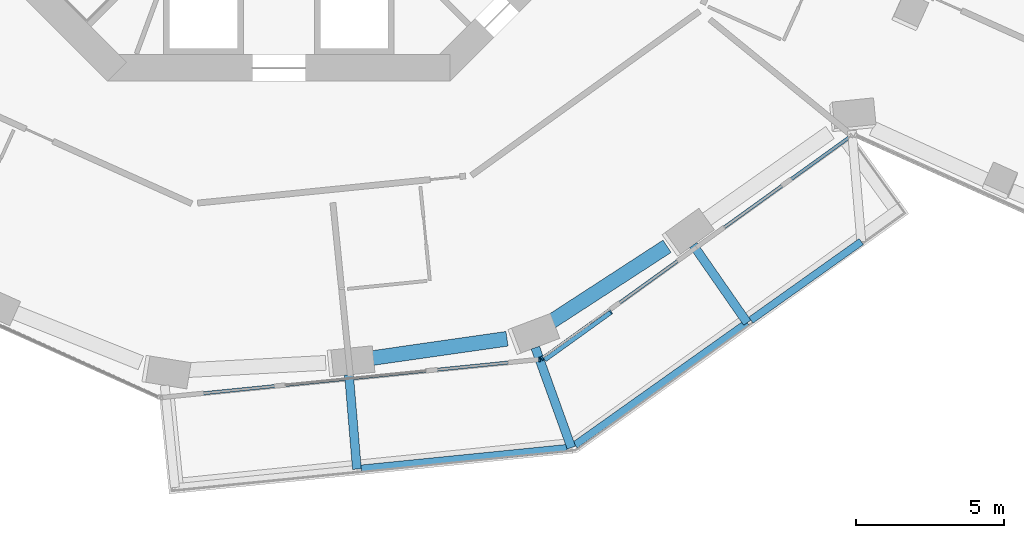
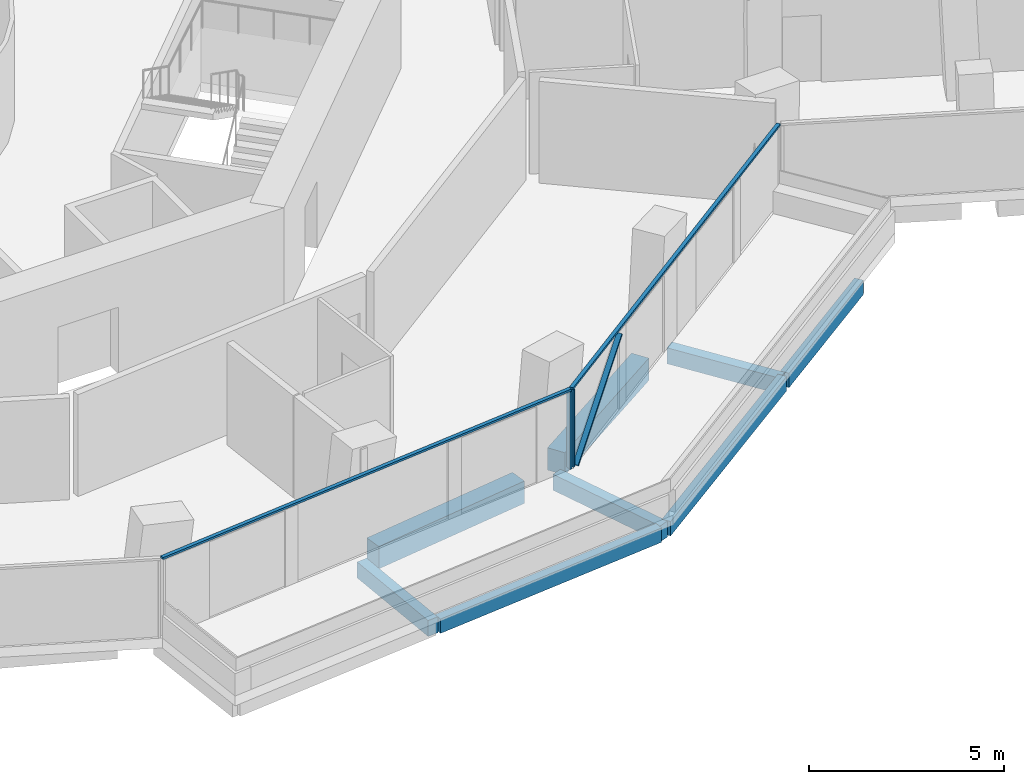
# One storey, part 5 of 26: 8 beams, 5 members, 2 elements without a shape of their own.
"""IFC4 building model written with IfcOpenShell, lengths in metres."""

from ifc_helpers import new_model, si_unit, direction, frame, origin, origin_2d, place, context, subcontext, project, spatial, rectangle, extrude, material, layer, layer_set, material_profile, profile_set, type_object, element, aggregate, save


model = new_model("IFC4")

# Units and contexts
model_context = context("Model", 3, precision=1e-05, world=origin(), true_north=direction((0.0, 1.0)))
body_context = subcontext(model_context, "Body", "Model", "MODEL_VIEW")
ifc_project = project(units=[si_unit("LENGTHUNIT", "METRE"), si_unit("AREAUNIT", "SQUARE_METRE"), si_unit("VOLUMEUNIT", "CUBIC_METRE"), si_unit("PLANEANGLEUNIT", "RADIAN"), si_unit("MASSUNIT", "GRAM", prefix="KILO")], contexts=[model_context])

# Site, building, storey
site_placement = place(None, origin())
site = spatial("IfcSite", under=ifc_project, at=site_placement, CompositionType="ELEMENT")
building_placement = place(site_placement, origin())
building = spatial("IfcBuilding", under=site, at=building_placement, Name="Verdalira Terraces Hotel", CompositionType="ELEMENT")
storey_placement = place(building_placement, frame((0.0, 0.0, 56.5)))
storey = spatial("IfcBuildingStorey", under=building, at=storey_placement, Name="L12", CompositionType="ELEMENT", Elevation=56.5)

# Beams
ifc_material_1 = material(Name="Concrete C40", Category="concrete")
ifc_material_profile_1 = material_profile(ifc_material_1, rectangle(XDim=0.300049, YDim=0.5, at=origin_2d()), Name="RC 300X500")
ifc_profile_set_1 = profile_set([ifc_material_profile_1], Name="Concrete C40")
beam_type_1 = type_object("IfcBeamType", Name="Balcony cantilever beam RC 300X500 C40", PredefinedType="BEAM", material=ifc_profile_set_1)
beam_1_placement = place(storey_placement, frame((2.37207, -23.940918, -0.560059), z_axis=(0.083676728, -0.996492953, 0.0), x_axis=(0.996492953, 0.083676728, 0.0)))
element("IfcBeam", 1, at=beam_1_placement, inside=storey, type_object=beam_type_1, Name="Balcony cantilever beam R26-2", PredefinedType="BEAM", context=body_context, shape_type="SweptSolid", body=[
    extrude(rectangle(XDim=0.300049, YDim=0.5, at=origin_2d()), origin(), (0.0, 0.0, 1.0), 3.200684),
])
beam_2_placement = place(storey_placement, frame((8.679199, -23.019043, -0.560059), z_axis=(0.338793953, -0.940860594, 0.0), x_axis=(0.940860594, 0.338793953, 0.0)))
element("IfcBeam", 2, at=beam_2_placement, inside=storey, type_object=beam_type_1, Name="Balcony cantilever beam R26-3", PredefinedType="BEAM", context=body_context, shape_type="SweptSolid", body=[
    extrude(rectangle(XDim=0.300049, YDim=0.5, at=origin_2d()), origin(), (0.0, 0.0, 1.0), 3.598145),
])
beam_3_placement = place(storey_placement, frame((14.024658, -19.547363, -0.560059), z_axis=(0.570771689, -0.821108811, 0.0), x_axis=(0.821108811, 0.570771689, 0.0)))
element("IfcBeam", 3, at=beam_3_placement, inside=storey, type_object=beam_type_1, Name="Balcony cantilever beam R26-4", PredefinedType="BEAM", context=body_context, shape_type="SweptSolid", body=[
    extrude(rectangle(XDim=0.300049, YDim=0.5, at=origin_2d()), origin(), (0.0, 0.0, 1.0), 3.200684),
])
ifc_material_2 = material(Name="Concrete C40", Category="concrete")
ifc_material_profile_2 = material_profile(ifc_material_2, rectangle(XDim=0.25, YDim=0.449951, at=origin_2d()), Name="RC 250X450")
ifc_profile_set_2 = profile_set([ifc_material_profile_2], Name="Concrete C40")
beam_type_2 = type_object("IfcBeamType", Name="Balcony edge beam RC 250X450 C40", PredefinedType="BEAM", material=ifc_profile_set_2)
beam_4_placement = place(storey_placement, frame((2.789307, -27.115479, -0.534912), z_axis=(0.995032693, 0.099548678, 0.0), x_axis=(-0.099548678, 0.995032693, 0.0)))
element("IfcBeam", 4, at=beam_4_placement, inside=storey, type_object=beam_type_2, Name="Balcony edge beam R26-2", PredefinedType="BEAM", context=body_context, shape_type="SweptSolid", body=[
    extrude(rectangle(XDim=0.25, YDim=0.449951, at=origin_2d()), origin(), (0.0, 0.0, 1.0), 6.989502),
])
beam_5_placement = place(storey_placement, frame((10.024902, -26.314209, -0.534912), z_axis=(0.815267835, 0.579084067, 0.0), x_axis=(-0.579084067, 0.815267835, 0.0)))
element("IfcBeam", 5, at=beam_5_placement, inside=storey, type_object=beam_type_2, Name="Balcony edge beam R26-3", PredefinedType="BEAM", context=body_context, shape_type="SweptSolid", body=[
    extrude(rectangle(XDim=0.25, YDim=0.449951, at=origin_2d()), origin(), (0.0, 0.0, 1.0), 7.146973),
])
beam_6_placement = place(storey_placement, frame((15.973633, -22.088623, -0.534912), z_axis=(0.814975994, 0.579494719, 0.0), x_axis=(-0.579494719, 0.814975994, 0.0)))
element("IfcBeam", 6, at=beam_6_placement, inside=storey, type_object=beam_type_2, Name="Balcony edge beam R26-4", PredefinedType="BEAM", context=body_context, shape_type="SweptSolid", body=[
    extrude(rectangle(XDim=0.25, YDim=0.449951, at=origin_2d()), origin(), (0.0, 0.0, 1.0), 4.58667),
])

# Curtain wall, member
ifc_material_3 = material(Name="Clear glass", Category="glass")
ifc_layer = layer(ifc_material_3, 0.14990234375)
ifc_layer_set = layer_set([ifc_layer], Name="CW1 curtain wall")
curtain_wall_type = type_object("IfcCurtainWallType", Name="CW1 curtain wall", PredefinedType="NOTDEFINED", material=ifc_layer_set)
curtain_wall_1_placement = place(storey_placement, origin())
curtain_wall_1 = element("IfcCurtainWall", 7, at=curtain_wall_1_placement, inside=storey, type_object=curtain_wall_type, Name="CW1 curtain wall L12 edge 26", PredefinedType="NOTDEFINED")
ifc_material_4 = material(Name="Terracotta frame", Category="masonry")
ifc_material_profile_3 = material_profile(ifc_material_4, rectangle(XDim=0.060059, YDim=0.149902, at=origin_2d()), Name="MU 60x150")
ifc_profile_set_3 = profile_set([ifc_material_profile_3], Name="Terracotta frame")
member_type_1 = type_object("IfcMemberType", Name="CW1 mullion 60x150", PredefinedType="MULLION", material=ifc_profile_set_3)
member_1_placement = place(storey_placement, frame((8.824463, -23.416016, 0.0), z_axis=(0.0, 0.0, 1.0), x_axis=(0.994951017, 0.100361715, 0.0)))
member_1 = element("IfcMember", 8, at=member_1_placement, type_object=member_type_1, Name="CW1 mullion", PredefinedType="MULLION", context=body_context, shape_type="SweptSolid", body=[
    extrude(rectangle(XDim=0.060059, YDim=0.149902, at=origin_2d()), origin(), (0.0, 0.0, 1.0), 2.425049),
])

curtain_wall_2_placement = place(storey_placement, origin())
curtain_wall_2 = element("IfcCurtainWall", 9, at=curtain_wall_2_placement, inside=storey, type_object=curtain_wall_type, Name="CW1 curtain wall L12 edge 27", PredefinedType="NOTDEFINED")
member_2_placement = place(storey_placement, frame((8.915039, -23.381592, 0.0), z_axis=(0.0, 0.0, 1.0), x_axis=(0.811471999, 0.584391303, 0.0)))
member_2 = element("IfcMember", 10, at=member_2_placement, type_object=member_type_1, Name="CW1 mullion", PredefinedType="MULLION", context=body_context, shape_type="SweptSolid", body=[
    extrude(rectangle(XDim=0.060059, YDim=0.149902, at=origin_2d()), origin(), (0.0, 0.0, 1.0), 2.425049),
])

# Member
ifc_material_5 = material(Name="Terracotta frame", Category="masonry")
ifc_material_profile_4 = material_profile(ifc_material_5, rectangle(XDim=0.110107, YDim=0.064941, at=origin_2d()), Name="TR 65x110")
ifc_profile_set_4 = profile_set([ifc_material_profile_4], Name="Terracotta frame")
member_type_2 = type_object("IfcMemberType", Name="CW1 transom 65x110", PredefinedType="USERDEFINED", material=ifc_profile_set_4)
member_3_placement = place(storey_placement, frame((-4.0, -24.709473, 2.45752), z_axis=(0.994950941, 0.100362471, 0.0), x_axis=(-0.100362471, 0.994950941, 0.0)))
member_3 = element("IfcMember", 11, at=member_3_placement, type_object=member_type_2, Name="CW1 transom", ObjectType="TRANSOM", PredefinedType="USERDEFINED", context=body_context, shape_type="SweptSolid", body=[
    extrude(rectangle(XDim=0.110107, YDim=0.064941, at=origin_2d()), origin(), (0.0, 0.0, 1.0), 12.919434),
])

aggregate(curtain_wall_1, [member_1, member_3])

member_4_placement = place(storey_placement, frame((8.890625, -23.39917, 2.45752), z_axis=(0.811462873, 0.584403975, 0.0), x_axis=(-0.584403975, 0.811462873, 0.0)))
member_4 = element("IfcMember", 12, at=member_4_placement, type_object=member_type_2, Name="CW1 transom", ObjectType="TRANSOM", PredefinedType="USERDEFINED", context=body_context, shape_type="SweptSolid", body=[
    extrude(rectangle(XDim=0.110107, YDim=0.064941, at=origin_2d()), origin(), (0.0, 0.0, 1.0), 12.959717),
])

ifc_material_6 = material(Name="Terracotta frame", Category="masonry")
ifc_material_profile_5 = material_profile(ifc_material_6, rectangle(XDim=0.149902, YDim=0.060059, at=origin_2d()), Name="GB 60x150")
ifc_profile_set_5 = profile_set([ifc_material_profile_5], Name="Terracotta frame")
member_type_3 = type_object("IfcMemberType", Name="Diagonal glazing bar 60x150", PredefinedType="USERDEFINED", material=ifc_profile_set_5)
member_5_placement = place(storey_placement, frame((9.013672, -23.420166, 0.023926), z_axis=(0.613373739, 0.441707092, 0.654727044), x_axis=(-0.584372685, 0.811485406, 0.0)))
member_5 = element("IfcMember", 13, at=member_5_placement, type_object=member_type_3, Name="Diagonal glazing bar", ObjectType="GLAZING BAR", PredefinedType="USERDEFINED", context=body_context, shape_type="SweptSolid", body=[
    extrude(rectangle(XDim=0.149902, YDim=0.060059, at=origin_2d()), origin(), (0.0, 0.0, 1.0), 3.630859),
])

aggregate(curtain_wall_2, [member_2, member_4, member_5])

# Beams
ifc_material_7 = material(Name="Concrete C70", Category="concrete")
ifc_material_profile_6 = material_profile(ifc_material_7, rectangle(XDim=0.5, YDim=0.699951, at=origin_2d()), Name="RC 500X700")
ifc_profile_set_6 = profile_set([ifc_material_profile_6], Name="Concrete C70")
beam_type_3 = type_object("IfcBeamType", Name="Spandrel beam RC 500X700 C70", PredefinedType="SPANDREL", material=ifc_profile_set_6)
beam_7_placement = place(storey_placement, frame((3.012695, -23.393311, -0.659912), z_axis=(0.989910439, 0.141694472, 0.0), x_axis=(-0.141694472, 0.989910439, 0.0)))
element("IfcBeam", 14, at=beam_7_placement, inside=storey, type_object=beam_type_3, Name="Spandrel beam B22", PredefinedType="SPANDREL", context=body_context, shape_type="SweptSolid", body=[
    extrude(rectangle(XDim=0.5, YDim=0.699951, at=origin_2d()), origin(), (0.0, 0.0, 1.0), 4.755615),
])
beam_8_placement = place(storey_placement, frame((9.146484, -22.182373, -0.659912), z_axis=(0.838535023, 0.544847699, 0.0), x_axis=(-0.544847699, 0.838535023, 0.0)))
element("IfcBeam", 15, at=beam_8_placement, inside=storey, type_object=beam_type_3, Name="Spandrel beam B23", PredefinedType="SPANDREL", context=body_context, shape_type="SweptSolid", body=[
    extrude(rectangle(XDim=0.5, YDim=0.699951, at=origin_2d()), origin(), (0.0, 0.0, 1.0), 4.759277),
])

save(model, "model.ifc")
